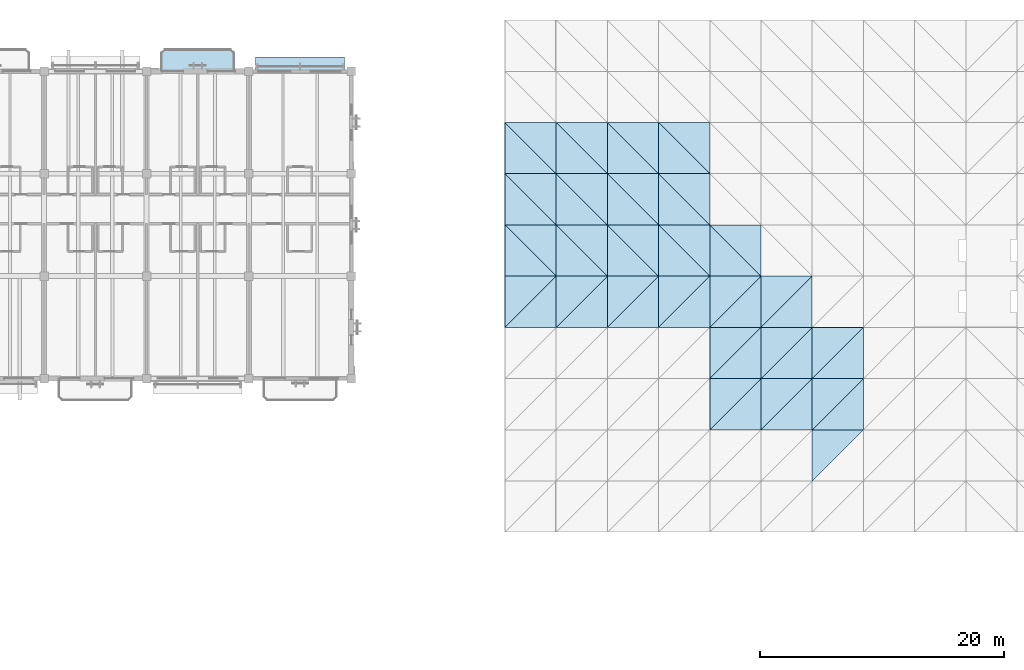
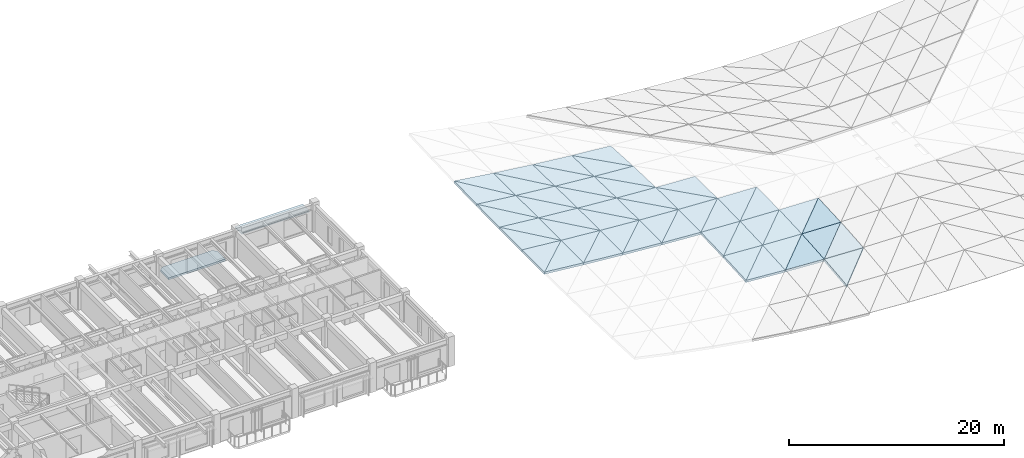
# One storey, part 19 of 64: 52 slabs, 1 plate, 1 element without a shape of its own.
"""IFC4 building model written with IfcOpenShell, lengths in metres."""

import ifcopenshell
import ifcopenshell.guid

model = None  # the IFC model being written
_history = None  # IfcOwnerHistory: only IFC2X3 demands one
_inside = {}  # id of a spatial element -> (the spatial element, [elements in it])
_under = {}  # id of a project, library or spatial element -> (it, [spatial elements below it])
_declared = {}  # id of a project -> (the project, [libraries it declares])
_typed = {}  # id of a type object -> (the type object, [elements of that type])
_made_of = {}  # id of a material, layer set ... -> (it, [elements and type objects made of it])


def new_model(schema):
    """Start an empty IFC model of exactly this schema.

    Asked for "IFC4X3", IfcOpenShell would pick the latest addendum, in which some entities
    have other attributes; the version numbers below select the first issue.
    IFC2X3 requires an IfcOwnerHistory on every rooted entity: one is made here for all.
    """
    global model, _history
    if schema == "IFC4X3":
        model = ifcopenshell.file(schema_version=(4, 3, 0, 0))
    else:
        model = ifcopenshell.file(schema=schema)
    _inside.clear()
    _under.clear()
    _declared.clear()
    _typed.clear()
    _made_of.clear()
    _history = None
    if model.schema == "IFC2X3":
        org = make("IfcOrganization", Name="unknown")
        user = make(
            "IfcPersonAndOrganization",
            ThePerson=make("IfcPerson", FamilyName="unknown"),
            TheOrganization=org,
        )
        app = make(
            "IfcApplication",
            ApplicationDeveloper=org,
            Version="unknown",
            ApplicationFullName="unknown",
            ApplicationIdentifier="unknown",
        )
        _history = make(
            "IfcOwnerHistory",
            OwningUser=user,
            OwningApplication=app,
            ChangeAction="ADDED",
            CreationDate=0,
        )
    return model


def make(cls, **values):
    """One entity of the class cls with the attributes given. An attribute that is None is left unset."""
    return model.create_entity(
        cls, **{name: value for name, value in values.items() if value is not None}
    )


def rooted(cls, **values):
    """An entity with a GlobalId (a new one), such as an element, a storey or a relation."""
    return make(cls, GlobalId=ifcopenshell.guid.new(), OwnerHistory=_history, **values)


def si_unit(unit_type, name, prefix=None):
    """IfcSIUnit, for example si_unit("LENGTHUNIT", "METRE", prefix="MILLI")."""
    return make("IfcSIUnit", UnitType=unit_type, Prefix=prefix, Name=name)


def assignment(units):
    """IfcUnitAssignment: the units of a project."""
    return None if units is None else make("IfcUnitAssignment", Units=units)


def point(xyz):
    """IfcCartesianPoint."""
    return None if xyz is None else make("IfcCartesianPoint", Coordinates=xyz)


def direction(xyz):
    """IfcDirection."""
    return None if xyz is None else make("IfcDirection", DirectionRatios=xyz)


def frame(location, z_axis=None, x_axis=None):
    """IfcAxis2Placement3D, a coordinate frame: its origin and axes. An axis left out is left unset."""
    return make(
        "IfcAxis2Placement3D",
        Location=point(location),
        Axis=direction(z_axis),
        RefDirection=direction(x_axis),
    )


def frame_2d(location, x_axis=None):
    """IfcAxis2Placement2D, a coordinate frame in the plane: its origin and x axis."""
    return make(
        "IfcAxis2Placement2D", Location=point(location), RefDirection=direction(x_axis)
    )


def origin():
    """The frame at (0, 0, 0) with its axes left unset."""
    return frame((0.0, 0.0, 0.0))


def origin_2d():
    """The frame at (0, 0) in the plane with its x axis left unset."""
    return frame_2d((0.0, 0.0))


def place(relative_to, where):
    """IfcLocalPlacement: puts the frame where relative to a parent placement (None: the world)."""
    return make(
        "IfcLocalPlacement", PlacementRelTo=relative_to, RelativePlacement=where
    )


def context(
    kind, dimensions, precision=None, world=None, true_north=None, identifier=None
):
    """IfcGeometricRepresentationContext, for example the 3D "Model" context."""
    return make(
        "IfcGeometricRepresentationContext",
        ContextIdentifier=identifier,
        ContextType=kind,
        CoordinateSpaceDimension=dimensions,
        Precision=precision,
        WorldCoordinateSystem=world,
        TrueNorth=true_north,
    )


def subcontext(parent, identifier, kind, view, scale=None):
    """IfcGeometricRepresentationSubContext, for example "Body" below "Model"."""
    return make(
        "IfcGeometricRepresentationSubContext",
        ContextIdentifier=identifier,
        ContextType=kind,
        ParentContext=parent,
        TargetScale=scale,
        TargetView=view,
    )


def project(units=None, contexts=None):
    """IfcProject with its units and contexts."""
    return rooted(
        "IfcProject",
        Name="project",
        RepresentationContexts=contexts,
        UnitsInContext=assignment(units),
    )


def spatial(cls, under=None, at=None, **own):
    """A site, building, storey or space (cls), placed at a placement, below another one or the project."""
    s = rooted(cls, ObjectPlacement=at, **own)
    if under is not None:
        _under.setdefault(under.id(), (under, []))[1].append(s)
    return s


def polyline(points):
    """IfcPolyline through the points."""
    return make("IfcPolyline", Points=[point(p) for p in points])


def profile(cls, at=None, kind="AREA", **sizes):
    """A parametric profile (cls). Its sizes go by their IFC names, for example OverallWidth=200.0."""
    return make(cls, ProfileType=kind, Position=at, **sizes)


def rectangle(**sizes):
    """IfcRectangleProfileDef."""
    return profile("IfcRectangleProfileDef", **sizes)


def outline(outer, holes=None, kind="AREA"):
    """IfcArbitraryClosedProfileDef: a profile drawn as a closed curve; with holes, ...WithVoids."""
    if holes is None:
        return make("IfcArbitraryClosedProfileDef", ProfileType=kind, OuterCurve=outer)
    return make(
        "IfcArbitraryProfileDefWithVoids",
        ProfileType=kind,
        OuterCurve=outer,
        InnerCurves=holes,
    )


def extrude(swept, where, along, depth):
    """IfcExtrudedAreaSolid: the profile swept, set in the frame where, extruded along a direction by depth."""
    return make(
        "IfcExtrudedAreaSolid",
        SweptArea=swept,
        Position=where,
        ExtrudedDirection=direction(along),
        Depth=depth,
    )


def shape(context_of_items, identifier, shape_type, items):
    """IfcShapeRepresentation: the items that make up one representation, for example the "Body"."""
    return make(
        "IfcShapeRepresentation",
        ContextOfItems=context_of_items,
        RepresentationIdentifier=identifier,
        RepresentationType=shape_type,
        Items=items,
    )


def material(Name=None, Category=None):
    """IfcMaterial."""
    return make("IfcMaterial", Name=Name, Category=Category)


def layer(
    of_material, thickness, ventilated=None, Name=None, Category=None, Priority=None
):
    """IfcMaterialLayer: one layer of a wall or slab, of a material (None: an air gap)."""
    return make(
        "IfcMaterialLayer",
        Material=of_material,
        LayerThickness=thickness,
        IsVentilated=ventilated,
        Name=Name,
        Category=Category,
        Priority=Priority,
    )


def layer_set(layers, Name=None):
    """IfcMaterialLayerSet."""
    return make("IfcMaterialLayerSet", MaterialLayers=layers, LayerSetName=Name)


def made_of(thing, what):
    """Note that an element or type object is made of a material, layer set ...; save() writes the relation."""
    if what is not None:
        _made_of.setdefault(what.id(), (what, []))[1].append(thing)
    return thing


def type_object(cls, material=None, **own):
    """A type object (cls), such as IfcWallType, which elements share."""
    return made_of(rooted(cls, **own), material)


def element(
    cls,
    number,
    at=None,
    inside=None,
    cuts=None,
    type_object=None,
    material=None,
    context=None,
    identifier="Body",
    shape_type=None,
    held_by="IfcProductDefinitionShape",
    body=None,
    shapes=None,
    **own,
):
    """One element of the class cls, such as IfcWall. Its Tag is "e" and its number.

    at: its placement. inside: the storey or other place that contains it. cuts: it is an
    opening in that element (IfcRelVoidsElement). A single representation is given by context,
    identifier, shape_type and body (its items); several are given by shapes. held_by: the class
    of the entity that holds the representations. save() writes the other relations.
    """
    e = rooted(cls, Tag="e%d" % number, ObjectPlacement=at, **own)
    if body is not None:
        shapes = [shape(context, identifier, shape_type, body)]
    if shapes is not None:
        e.Representation = make(held_by, Representations=shapes)
    if inside is not None:
        _inside.setdefault(inside.id(), (inside, []))[1].append(e)
    if cuts is not None:
        rooted(
            "IfcRelVoidsElement", RelatingBuildingElement=cuts, RelatedOpeningElement=e
        )
    if type_object is not None:
        _typed.setdefault(type_object.id(), (type_object, []))[1].append(e)
    return made_of(e, material)


def aggregate(whole, parts):
    """IfcRelAggregates: a whole, such as a stair, and the parts it consists of."""
    return rooted("IfcRelAggregates", RelatingObject=whole, RelatedObjects=parts)


def save(model, path):
    """Write the relations noted so far, then the file.

    IfcRelAggregates (storeys below a building ...), IfcRelContainedInSpatialStructure (elements
    in a storey), IfcRelDefinesByType, IfcRelAssociatesMaterial and IfcRelDeclares: one each for
    every whole, place, type object, material and project.
    """
    for whole, parts in _under.values():
        aggregate(whole, parts)
    for where, things in _inside.values():
        rooted(
            "IfcRelContainedInSpatialStructure",
            RelatedElements=things,
            RelatingStructure=where,
        )
    for kind, things in _typed.values():
        rooted("IfcRelDefinesByType", RelatedObjects=things, RelatingType=kind)
    for what, things in _made_of.values():
        rooted("IfcRelAssociatesMaterial", RelatedObjects=things, RelatingMaterial=what)
    for by, libraries in _declared.values():
        rooted("IfcRelDeclares", RelatingContext=by, RelatedDefinitions=libraries)
    model.write(path)


model = new_model("IFC4")

# Units and contexts
model_context = context("Model", 3, precision=1e-05, world=origin(), true_north=direction((0.0, 1.0)))
body_context = subcontext(model_context, "Body", "Model", "MODEL_VIEW")
ifc_project = project(units=[si_unit("LENGTHUNIT", "METRE"), si_unit("AREAUNIT", "SQUARE_METRE"), si_unit("VOLUMEUNIT", "CUBIC_METRE"), si_unit("PLANEANGLEUNIT", "RADIAN"), si_unit("MASSUNIT", "GRAM", prefix="KILO")], contexts=[model_context])

# Site, building, storey
site_placement = place(None, origin())
site = spatial("IfcSite", under=ifc_project, at=site_placement, CompositionType="ELEMENT")
building_placement = place(site_placement, origin())
building = spatial("IfcBuilding", under=site, at=building_placement, Name="Cumbredor Promenade Congress Hotel", CompositionType="ELEMENT")
storey_placement = place(building_placement, frame((0.0, 0.0, 18.47998046875)))
storey = spatial("IfcBuildingStorey", under=building, at=storey_placement, Name="L05", CompositionType="ELEMENT", Elevation=18.47998046875)

# Slabs
ifc_material_1 = material(Name="Concrete C40/50", Category="concrete")
ifc_layer_1 = layer(ifc_material_1, 0.215087890625, Name="Concrete C40/50", Category="concrete")
ifc_layer_set_1 = layer_set([ifc_layer_1], Name="Concrete C40/50")
slab_type_1 = type_object("IfcSlabType", Name="Cantilevered Guestroom Balcony Slab 215mm", PredefinedType="FLOOR", material=ifc_layer_set_1)
slab_1_placement = place(storey_placement, frame((0.0, 0.0, -0.215087890625)))
element("IfcSlab", 1, at=slab_1_placement, inside=storey, type_object=slab_type_1, Name="L05 Cantilevered Guestroom Veranda Balcony 028", PredefinedType="FLOOR", context=body_context, shape_type="SweptSolid", body=[
    extrude(outline(polyline([(68.35009765625, 117.60009765625), (74.449951171875, 117.60009765625), (74.449951171875, 119.10009765625), (74.10009765625, 119.449951171875), (68.699951171875, 119.449951171875), (68.35009765625, 119.10009765625), (68.35009765625, 117.60009765625)])), origin(), (0.0, 0.0, 1.0), 0.215087890625),
])
ifc_layer_2 = layer(ifc_material_1, 0.25, Name="Concrete C40/50", Category="concrete")
ifc_layer_set_2 = layer_set([ifc_layer_2], Name="Concrete C40/50")
slab_type_2 = type_object("IfcSlabType", Name="Catenary Space Frame Roof Deck 250mm", PredefinedType="ROOF", material=ifc_layer_set_2)
slab_2_placement = place(storey_placement, frame((96.60009765625, 96.60009765625, 3.514892578125), z_axis=(0.09799722413, 5.7849601e-05, 0.995186686364), x_axis=(0.995186688029, 0.0, -0.097997224294)))
element("IfcSlab", 2, at=slab_2_placement, inside=storey, type_object=slab_type_2, Name="Pre-Function and Breakout Meeting Forum Sweeping Roof Deck Facet 3.5.1", PredefinedType="ROOF", context=body_context, shape_type="SweptSolid", body=[
    extrude(outline(polyline([(0.0, 0.0), (4.2202646221, 0.0), (4.220288547203587, 4.1999511789027295), (0.0, 0.0)])), origin(), (0.0, 0.0, -1.0), 0.25),
])
slab_3_placement = place(storey_placement, frame((96.60009765625, 96.60009765625, 3.514892578125), z_axis=(0.093237412623, 0.004861541068, 0.995632035596), x_axis=(0.705396850563, 0.705396850563, -0.069502276446)))
element("IfcSlab", 3, at=slab_3_placement, inside=storey, type_object=slab_type_2, Name="Pre-Function and Breakout Meeting Forum Sweeping Roof Deck Facet 3.5.2", PredefinedType="ROOF", context=body_context, shape_type="SweptSolid", body=[
    extrude(outline(polyline([(0.0, 0.0), (5.954025976330989, 1.0408340855860843e-16), (2.964057668813273, 2.975629774091015), (0.0, 0.0)])), origin(), (0.0, 0.0, -1.0), 0.25),
])
slab_4_placement = place(storey_placement, frame((96.60009765625, 100.800048828125, 3.494384765625), z_axis=(0.093237412623, -0.004861541068, 0.995632035596), x_axis=(0.995643801478, 0.0, -0.093238514456)))
element("IfcSlab", 4, at=slab_4_placement, inside=storey, type_object=slab_type_2, Name="Pre-Function and Breakout Meeting Forum Sweeping Roof Deck Facet 3.6.1", PredefinedType="ROOF", context=body_context, shape_type="SweptSolid", body=[
    extrude(outline(polyline([(0.0, 0.0), (4.21832704189911, -2.168404344971009e-19), (-0.0019121179722361304, 4.20000080479904), (0.0, 0.0)])), origin(), (0.0, 0.0, -1.0), 0.25),
])
slab_5_placement = place(storey_placement, frame((100.800048828125, 100.800048828125, 3.10107421875), z_axis=(0.09799722413, -5.7849601e-05, 0.995186686364), x_axis=(0.0, 0.99999999831, 5.8129396e-05)))
element("IfcSlab", 5, at=slab_5_placement, inside=storey, type_object=slab_type_2, Name="Pre-Function and Breakout Meeting Forum Sweeping Roof Deck Facet 3.6.2", PredefinedType="ROOF", context=body_context, shape_type="SweptSolid", body=[
    extrude(outline(polyline([(0.0, 0.0), (4.199951178970874, 0.0), (4.199975219790385, 4.220264622031526), (0.0, 0.0)])), origin(), (0.0, 0.0, -1.0), 0.25),
])
slab_6_placement = place(storey_placement, frame((96.60009765625, 105.0, 3.514892578125), z_axis=(0.097986977301, -0.014460888031, 0.995082627221), x_axis=(0.995186688029, 0.0, -0.097997224294)))
element("IfcSlab", 6, at=slab_6_placement, inside=storey, type_object=slab_type_2, Name="Pre-Function and Breakout Meeting Forum Sweeping Roof Deck Facet 3.7.1", PredefinedType="ROOF", context=body_context, shape_type="SweptSolid", body=[
    extrude(outline(polyline([(0.0, 0.0), (4.2202646221, 0.0), (-0.00598127589682214, 4.200390381949194), (0.0, 0.0)])), origin(), (0.0, 0.0, -1.0), 0.25),
])
slab_7_placement = place(storey_placement, frame((100.800048828125, 105.0, 3.101318359375), z_axis=(0.112174797087, -0.000115525023, 0.993688483154), x_axis=(0.0, 0.999999993242, 0.000116258791)))
element("IfcSlab", 7, at=slab_7_placement, inside=storey, type_object=slab_type_2, Name="Pre-Function and Breakout Meeting Forum Sweeping Roof Deck Facet 3.7.2", PredefinedType="ROOF", context=body_context, shape_type="SweptSolid", body=[
    extrude(outline(polyline([(0.0, 0.0), (4.199951200258494, -6.776263578034403e-21), (4.200006321003777, 4.226627574631409), (0.0, 0.0)])), origin(), (0.0, 0.0, -1.0), 0.25),
])
slab_8_placement = place(storey_placement, frame((96.60009765625, 109.199951171875, 3.575927734375), z_axis=(0.112142114967, -0.024137695189, 0.993398972076), x_axis=(0.993688489785, 0.0, -0.112174797835)))
element("IfcSlab", 8, at=slab_8_placement, inside=storey, type_object=slab_type_2, Name="Pre-Function and Breakout Meeting Forum Sweeping Roof Deck Facet 3.8.1", PredefinedType="ROOF", context=body_context, shape_type="SweptSolid", body=[
    extrude(outline(polyline([(0.0, 0.0), (4.226627574990832, 1.734723475976807e-18), (-0.011447525755660397, 4.201175212037935), (0.0, 0.0)])), origin(), (0.0, 0.0, -1.0), 0.25),
])
slab_9_placement = place(storey_placement, frame((100.800048828125, 109.199951171875, 3.101806640625), z_axis=(0.135742825348, -0.000172774067, 0.99074409184), x_axis=(0.0, 0.999999984794, 0.000174388185)))
element("IfcSlab", 9, at=slab_9_placement, inside=storey, type_object=slab_type_2, Name="Pre-Function and Breakout Meeting Forum Sweeping Roof Deck Facet 3.8.2", PredefinedType="ROOF", context=body_context, shape_type="SweptSolid", body=[
    extrude(outline(polyline([(0.0, 0.0), (4.199951235737862, 1.3552527156068805e-20), (4.200051585579931, 4.239188648819122), (0.0, 0.0)])), origin(), (0.0, 0.0, -1.0), 0.25),
])
slab_10_placement = place(storey_placement, frame((100.800048828125, 96.60009765625, 3.101318359375), z_axis=(0.086576385093, -0.004169565035, 0.996236490133), x_axis=(0.996245150167, 0.0, -0.086577137679)))
element("IfcSlab", 10, at=slab_10_placement, inside=storey, type_object=slab_type_2, Name="Pre-Function and Breakout Meeting Forum Sweeping Roof Deck Facet 4.5.1", PredefinedType="ROOF", context=body_context, shape_type="SweptSolid", body=[
    extrude(outline(polyline([(0.0, 0.0), (4.215780795691743, 0.0), (4.214258931943472, 4.19998768099901), (0.0, 0.0)])), origin(), (0.0, 0.0, -1.0), 0.25),
])
slab_11_placement = place(storey_placement, frame((100.800048828125, 96.60009765625, 3.101318359375), z_axis=(0.082379045472, 5.7931818e-05, 0.996601068387), x_axis=(0.705900318658, 0.705900318658, -0.05839075472)))
element("IfcSlab", 11, at=slab_11_placement, inside=storey, type_object=slab_type_2, Name="Pre-Function and Breakout Meeting Forum Sweeping Roof Deck Facet 4.5.2", PredefinedType="ROOF", context=body_context, shape_type="SweptSolid", body=[
    extrude(outline(polyline([(0.0, 0.0), (5.949779396415364, 2.3592239273284576e-16), (2.9647611261303735, 2.974858210188344), (0.0, 0.0)])), origin(), (0.0, 0.0, -1.0), 0.25),
])
slab_12_placement = place(storey_placement, frame((100.800048828125, 100.800048828125, 3.10107421875), z_axis=(0.082379045472, -5.7931818e-05, 0.996601068387), x_axis=(0.99660107006, 0.0, -0.08237904561)))
element("IfcSlab", 12, at=slab_12_placement, inside=storey, type_object=slab_type_2, Name="Pre-Function and Breakout Meeting Forum Sweeping Roof Deck Facet 4.6.1", PredefinedType="ROOF", context=body_context, shape_type="SweptSolid", body=[
    extrude(outline(polyline([(0.0, 0.0), (4.214275198021623, 3.3881317890172014e-21), (-2.01120716820759e-05, 4.19995117892272), (0.0, 0.0)])), origin(), (0.0, 0.0, -1.0), 0.25),
])
slab_13_placement = place(storey_placement, frame((105.0, 100.800048828125, 2.75390625), z_axis=(0.086576385093, 0.004169565035, 0.996236490133), x_axis=(0.0, 0.999991241678, -0.004185279858)))
element("IfcSlab", 13, at=slab_13_placement, inside=storey, type_object=slab_type_2, Name="Pre-Function and Breakout Meeting Forum Sweeping Roof Deck Facet 4.6.2", PredefinedType="ROOF", context=body_context, shape_type="SweptSolid", body=[
    extrude(outline(polyline([(0.0, 0.0), (4.199987956722341, 0.0), (4.198460370445967, 4.215780518931634), (0.0, 0.0)])), origin(), (0.0, 0.0, -1.0), 0.25),
])
slab_14_placement = place(storey_placement, frame((100.800048828125, 105.0, 3.101318359375), z_axis=(0.086577137099, -0.000115822257, 0.996245143485), x_axis=(0.996245150167, 0.0, -0.086577137679)))
element("IfcSlab", 14, at=slab_14_placement, inside=storey, type_object=slab_type_2, Name="Pre-Function and Breakout Meeting Forum Sweeping Roof Deck Facet 4.7.1", PredefinedType="ROOF", context=body_context, shape_type="SweptSolid", body=[
    extrude(outline(polyline([(0.0, 0.0), (4.215780795691743, 6.776263578034403e-21), (-4.227399300754566e-05, 4.199951200045743), (0.0, 0.0)])), origin(), (0.0, 0.0, -1.0), 0.25),
])
slab_15_placement = place(storey_placement, frame((105.0, 105.0, 2.736328125), z_axis=(0.099192297833, 0.012608700249, 0.994988396278), x_axis=(0.0, 0.999919717237, -0.012671190976)))
element("IfcSlab", 15, at=slab_15_placement, inside=storey, type_object=slab_type_2, Name="Pre-Function and Breakout Meeting Forum Sweeping Roof Deck Facet 4.7.2", PredefinedType="ROOF", context=body_context, shape_type="SweptSolid", body=[
    extrude(outline(polyline([(0.0, 0.0), (4.200288382631899, 0.0), (4.194982940121256, 4.220766798787094), (0.0, 0.0)])), origin(), (0.0, 0.0, -1.0), 0.25),
])
slab_16_placement = place(storey_placement, frame((100.800048828125, 109.199951171875, 3.101806640625), z_axis=(0.099200182042, -0.000173528015, 0.995067482019), x_axis=(0.995067497, 0.0, -0.099200183535)))
element("IfcSlab", 16, at=slab_16_placement, inside=storey, type_object=slab_type_2, Name="Pre-Function and Breakout Meeting Forum Sweeping Roof Deck Facet 4.8.1", PredefinedType="ROOF", context=body_context, shape_type="SweptSolid", body=[
    extrude(outline(polyline([(0.0, 0.0), (4.220770133217833, 0.0), (-7.265638442517803e-05, 4.199951235109408), (0.0, 0.0)])), origin(), (0.0, 0.0, -1.0), 0.25),
])
slab_17_placement = place(storey_placement, frame((105.0, 109.199951171875, 2.68310546875), z_axis=(0.120008746289, 0.020886137575, 0.992553106927), x_axis=(0.0, 0.999778672914, -0.021038184014)))
element("IfcSlab", 17, at=slab_17_placement, inside=storey, type_object=slab_type_2, Name="Pre-Function and Breakout Meeting Forum Sweeping Roof Deck Facet 4.8.2", PredefinedType="ROOF", context=body_context, shape_type="SweptSolid", body=[
    extrude(outline(polyline([(0.0, 0.0), (4.200880940612829, 1.734723475976807e-18), (4.190197487793162, 4.230525882810113), (0.0, 0.0)])), origin(), (0.0, 0.0, -1.0), 0.25),
])
slab_18_placement = place(storey_placement, frame((105.0, 96.60009765625, 2.736328125), z_axis=(0.07512048615, -0.007883013979, 0.997143304972), x_axis=(0.997174288611, 0.0, -0.075122820324)))
element("IfcSlab", 18, at=slab_18_placement, inside=storey, type_object=slab_type_2, Name="Pre-Function and Breakout Meeting Forum Sweeping Roof Deck Facet 5.5.1", PredefinedType="ROOF", context=body_context, shape_type="SweptSolid", body=[
    extrude(outline(polyline([(0.0, 0.0), (4.2118526518829285, 4.336808689942018e-19), (4.209358339489347, 4.200081674449872), (0.0, 0.0)])), origin(), (0.0, 0.0, -1.0), 0.25),
])
slab_19_placement = place(storey_placement, frame((105.0, 96.60009765625, 2.736328125), z_axis=(0.071431847476, -0.004174588489, 0.997436746855), x_axis=(0.706304377557, 0.706304377557, -0.047626174386)))
element("IfcSlab", 19, at=slab_19_placement, inside=storey, type_object=slab_type_2, Name="Pre-Function and Breakout Meeting Forum Sweeping Roof Deck Facet 5.5.2", PredefinedType="ROOF", context=body_context, shape_type="SweptSolid", body=[
    extrude(outline(polyline([(0.0, 0.0), (5.94637567786279, -3.122502256758253e-16), (2.965606719375772, 2.9740671852878466), (0.0, 0.0)])), origin(), (0.0, 0.0, -1.0), 0.25),
])
slab_20_placement = place(storey_placement, frame((105.0, 100.800048828125, 2.75390625), z_axis=(0.071431847476, 0.004174588489, 0.997436746855), x_axis=(0.997445438228, 0.0, -0.071432469912)))
element("IfcSlab", 20, at=slab_20_placement, inside=storey, type_object=slab_type_2, Name="Pre-Function and Breakout Meeting Forum Sweeping Roof Deck Facet 5.6.1", PredefinedType="ROOF", context=body_context, shape_type="SweptSolid", body=[
    extrude(outline(polyline([(0.0, 0.0), (4.210707684758674, 0.0), (0.001255648885172914, 4.1999877690248795), (0.0, 0.0)])), origin(), (0.0, 0.0, -1.0), 0.25),
])
slab_21_placement = place(storey_placement, frame((109.199951171875, 100.800048828125, 2.453125), z_axis=(0.07512048615, 0.007883013979, 0.997143304972), x_axis=(0.0, 0.999968752226, -0.007905350829)))
element("IfcSlab", 21, at=slab_21_placement, inside=storey, type_object=slab_type_2, Name="Pre-Function and Breakout Meeting Forum Sweeping Roof Deck Facet 5.6.2", PredefinedType="ROOF", context=body_context, shape_type="SweptSolid", body=[
    extrude(outline(polyline([(0.0, 0.0), (4.200082415101393, 4.336808689942018e-19), (4.197581112690813, 4.211851909155817), (0.0, 0.0)])), origin(), (0.0, 0.0, -1.0), 0.25),
])
slab_22_placement = place(storey_placement, frame((105.0, 105.0, 2.736328125), z_axis=(0.075116823289, 0.012635391572, 0.99709468444), x_axis=(0.997174288611, 0.0, -0.075122820324)))
element("IfcSlab", 22, at=slab_22_placement, inside=storey, type_object=slab_type_2, Name="Pre-Function and Breakout Meeting Forum Sweeping Roof Deck Facet 5.7.1", PredefinedType="ROOF", context=body_context, shape_type="SweptSolid", body=[
    extrude(outline(polyline([(0.0, 0.0), (4.2118526518829285, -8.673617379884035e-19), (0.003998236042652911, 4.200286479679813), (0.0, 0.0)])), origin(), (0.0, 0.0, -1.0), 0.25),
])
slab_23_placement = place(storey_placement, frame((109.199951171875, 105.0, 2.419921875), z_axis=(0.086035794865, 0.023622210165, 0.99601196438), x_axis=(0.0, 0.999718875442, -0.023710126209)))
element("IfcSlab", 23, at=slab_23_placement, inside=storey, type_object=slab_type_2, Name="Pre-Function and Breakout Meeting Forum Sweeping Roof Deck Facet 5.7.2", PredefinedType="ROOF", context=body_context, shape_type="SweptSolid", body=[
    extrude(outline(polyline([(0.0, 0.0), (4.201132213311321, 0.0), (4.192530346234374, 4.2155823550479266), (0.0, 0.0)])), origin(), (0.0, 0.0, -1.0), 0.25),
])
slab_24_placement = place(storey_placement, frame((105.0, 109.199951171875, 2.68310546875), z_axis=(0.086040902939, 0.020960166126, 0.996071099098), x_axis=(0.996289972461, 0.0, -0.086059809282)))
element("IfcSlab", 24, at=slab_24_placement, inside=storey, type_object=slab_type_2, Name="Pre-Function and Breakout Meeting Forum Sweeping Roof Deck Facet 5.8.1", PredefinedType="ROOF", context=body_context, shape_type="SweptSolid", body=[
    extrude(outline(polyline([(0.0, 0.0), (4.215591131064376, -2.6020852139652106e-18), (0.007605871816420661, 4.200874055231607), (0.0, 0.0)])), origin(), (0.0, 0.0, -1.0), 0.25),
])
slab_25_placement = place(storey_placement, frame((109.199951171875, 109.199951171875, 2.3203125), z_axis=(0.104156150302, 0.039224640075, 0.993787162307), x_axis=(0.0, 0.999221974009, -0.039439151331)))
element("IfcSlab", 25, at=slab_25_placement, inside=storey, type_object=slab_type_2, Name="Pre-Function and Breakout Meeting Forum Sweeping Roof Deck Facet 5.8.2", PredefinedType="ROOF", context=body_context, shape_type="SweptSolid", body=[
    extrude(outline(polyline([(0.0, 0.0), (4.203221387360661, 0.0), (4.185860842963614, 4.222919816111841), (0.0, 0.0)])), origin(), (0.0, 0.0, -1.0), 0.25),
])
slab_26_placement = place(storey_placement, frame((109.199951171875, 96.60009765625, 2.419921875), z_axis=(0.06357709182, -0.010963567841, 0.997916706733), x_axis=(0.997976686844, 0.0, -0.063580913142)))
element("IfcSlab", 26, at=slab_26_placement, inside=storey, type_object=slab_type_2, Name="Pre-Function and Breakout Meeting Forum Sweeping Roof Deck Facet 6.5.1", PredefinedType="ROOF", context=body_context, shape_type="SweptSolid", body=[
    extrude(outline(polyline([(0.0, 0.0), (4.208466216938507, 0.0), (4.2055324296865955, 4.200203611319643), (0.0, 0.0)])), origin(), (0.0, 0.0, -1.0), 0.25),
])
slab_27_placement = place(storey_placement, frame((109.199951171875, 96.60009765625, 2.419921875), z_axis=(0.060515950101, -0.007890862142, 0.998136039865), x_axis=(0.706615897293, 0.706615897293, -0.037255165892)))
element("IfcSlab", 27, at=slab_27_placement, inside=storey, type_object=slab_type_2, Name="Pre-Function and Breakout Meeting Forum Sweeping Roof Deck Facet 6.5.2", PredefinedType="ROOF", context=body_context, shape_type="SweptSolid", body=[
    extrude(outline(polyline([(0.0, 0.0), (5.943754149835624, -2.706168622523819e-16), (2.9665152779711583, 2.973294368071828), (0.0, 0.0)])), origin(), (0.0, 0.0, -1.0), 0.25),
])
slab_28_placement = place(storey_placement, frame((109.199951171875, 100.800048828125, 2.453125), z_axis=(0.060515950101, 0.007890862142, 0.998136039865), x_axis=(0.998167116139, 0.0, -0.060517834223)))
element("IfcSlab", 28, at=slab_28_placement, inside=storey, type_object=slab_type_2, Name="Pre-Function and Breakout Meeting Forum Sweeping Roof Deck Facet 6.6.1", PredefinedType="ROOF", context=body_context, shape_type="SweptSolid", body=[
    extrude(outline(polyline([(0.0, 0.0), (4.207663330085768, 4.336808689942018e-19), (0.0020093812144250786, 4.200081934442599), (0.0, 0.0)])), origin(), (0.0, 0.0, -1.0), 0.25),
])
slab_29_placement = place(storey_placement, frame((113.39990234375, 100.800048828125, 2.198486328125), z_axis=(0.06357709182, 0.010963567841, 0.997916706733), x_axis=(0.0, 0.999939654357, -0.010985792866)))
element("IfcSlab", 29, at=slab_29_placement, inside=storey, type_object=slab_type_2, Name="Pre-Function and Breakout Meeting Forum Sweeping Roof Deck Facet 6.6.2", PredefinedType="ROOF", context=body_context, shape_type="SweptSolid", body=[
    extrude(outline(polyline([(0.0, 0.0), (4.200204635925518, 0.0), (4.197265078068801, 4.208465190317287), (0.0, 0.0)])), origin(), (0.0, 0.0, -1.0), 0.25),
])
slab_30_placement = place(storey_placement, frame((109.199951171875, 105.0, 2.419921875), z_axis=(0.063563111212, 0.023662180086, 0.997697264769), x_axis=(0.997976686844, 0.0, -0.063580913142)))
element("IfcSlab", 30, at=slab_30_placement, inside=storey, type_object=slab_type_2, Name="Pre-Function and Breakout Meeting Forum Sweeping Roof Deck Facet 6.7.1", PredefinedType="ROOF", context=body_context, shape_type="SweptSolid", body=[
    extrude(outline(polyline([(0.0, 0.0), (4.208466216938507, 0.0), (0.006333255019998972, 4.2011274395813), (0.0, 0.0)])), origin(), (0.0, 0.0, -1.0), 0.25),
])
slab_31_placement = place(storey_placement, frame((113.39990234375, 105.0, 2.15234375), z_axis=(0.072834752498, 0.032969748744, 0.996798923804), x_axis=(0.0, 0.999453449873, -0.033057548856)))
element("IfcSlab", 31, at=slab_31_placement, inside=storey, type_object=slab_type_2, Name="Pre-Function and Breakout Meeting Forum Sweeping Roof Deck Facet 6.7.2", PredefinedType="ROOF", context=body_context, shape_type="SweptSolid", body=[
    extrude(outline(polyline([(0.0, 0.0), (4.202247911003266, -1.734723475976807e-18), (4.19210305287031, 4.211135854773668), (0.0, 0.0)])), origin(), (0.0, 0.0, -1.0), 0.25),
])
slab_32_placement = place(storey_placement, frame((109.199951171875, 109.199951171875, 2.3203125), z_axis=(0.072817973247, 0.039334450147, 0.996569287006), x_axis=(0.997341128252, 0.0, -0.072874370645)))
element("IfcSlab", 32, at=slab_32_placement, inside=storey, type_object=slab_type_2, Name="Pre-Function and Breakout Meeting Forum Sweeping Roof Deck Facet 6.8.1", PredefinedType="ROOF", context=body_context, shape_type="SweptSolid", body=[
    extrude(outline(polyline([(0.0, 0.0), (4.211148074516841, 1.734723475976807e-18), (0.012080492594781774, 4.2032040270328), (0.0, 0.0)])), origin(), (0.0, 0.0, -1.0), 0.25),
])
slab_33_placement = place(storey_placement, frame((113.39990234375, 109.199951171875, 2.013427734375), z_axis=(0.088168608244, 0.054751260333, 0.994599716475), x_axis=(0.0, 0.99848826417, -0.054965319198)))
element("IfcSlab", 33, at=slab_33_placement, inside=storey, type_object=slab_type_2, Name="Pre-Function and Breakout Meeting Forum Sweeping Roof Deck Facet 6.8.2", PredefinedType="ROOF", context=body_context, shape_type="SweptSolid", body=[
    extrude(outline(polyline([(0.0, 0.0), (4.2063100014157975, -3.469446951953614e-18), (4.185845618657625, 4.216371557059254), (0.0, 0.0)])), origin(), (0.0, 0.0, -1.0), 0.25),
])
slab_34_placement = place(storey_placement, frame((113.39990234375, 88.199951171875, 1.7822265625), z_axis=(0.072186117772, -0.06750488488, 0.99510414275), x_axis=(0.997379220956, 0.0, -0.072351154833)))
element("IfcSlab", 34, at=slab_34_placement, inside=storey, type_object=slab_type_2, Name="Pre-Function and Breakout Meeting Forum Sweeping Roof Deck Facet 7.3.1", PredefinedType="ROOF", context=body_context, shape_type="SweptSolid", body=[
    extrude(outline(polyline([(0.0, 0.0), (4.211232021131491, 0.0), (4.190618300992207, 4.209553400391154), (0.0, 0.0)])), origin(), (0.0, 0.0, -1.0), 0.25),
])
slab_35_placement = place(storey_placement, frame((113.39990234375, 88.199951171875, 1.7822265625), z_axis=(0.059557305235, -0.054867749611, 0.996715835856), x_axis=(0.707123413179, 0.707082310912, -0.003329283682)))
element("IfcSlab", 35, at=slab_35_placement, inside=storey, type_object=slab_type_2, Name="Pre-Function and Breakout Meeting Forum Sweeping Roof Deck Facet 7.3.2", PredefinedType="ROOF", context=body_context, shape_type="SweptSolid", body=[
    extrude(outline(polyline([(0.0, 0.0), (5.939833463604475, 5.377642775528102e-16), (2.968941446036086, 2.9796695316795985), (0.0, 0.0)])), origin(), (0.0, 0.0, -1.0), 0.25),
])
slab_36_placement = place(storey_placement, frame((113.39990234375, 92.39990234375, 2.013427734375), z_axis=(0.059598018496, -0.040582308314, 0.997397188909), x_axis=(0.998219523348, 0.0, -0.059647155894)))
element("IfcSlab", 36, at=slab_36_placement, inside=storey, type_object=slab_type_2, Name="Pre-Function and Breakout Meeting Forum Sweeping Roof Deck Facet 7.4.1", PredefinedType="ROOF", context=body_context, shape_type="SweptSolid", body=[
    extrude(outline(polyline([(0.0, 0.0), (4.207687000962797, -1.734723475976807e-18), (4.197493395219176, 4.203658291237391), (0.0, 0.0)])), origin(), (0.0, 0.0, -1.0), 0.25),
])
slab_37_placement = place(storey_placement, frame((113.39990234375, 92.39990234375, 2.013427734375), z_axis=(0.052039934598, -0.033010839227, 0.998099258441), x_axis=(0.707042533923, 0.707042533923, -0.013480001809)))
element("IfcSlab", 37, at=slab_37_placement, inside=storey, type_object=slab_type_2, Name="Pre-Function and Breakout Meeting Forum Sweeping Roof Deck Facet 7.4.2", PredefinedType="ROOF", context=body_context, shape_type="SweptSolid", body=[
    extrude(outline(polyline([(0.0, 0.0), (5.940512926709062, -3.8077180297690916e-16), (2.967844148577629, 2.9753721502187966), (0.0, 0.0)])), origin(), (0.0, 0.0, -1.0), 0.25),
])
slab_38_placement = place(storey_placement, frame((113.39990234375, 96.60009765625, 2.15234375), z_axis=(0.052063549946, -0.013524539904, 0.998552188715), x_axis=(0.998643525423, 0.0, -0.052068312154)))
element("IfcSlab", 38, at=slab_38_placement, inside=storey, type_object=slab_type_2, Name="Pre-Function and Breakout Meeting Forum Sweeping Roof Deck Facet 7.5.1", PredefinedType="ROOF", context=body_context, shape_type="SweptSolid", body=[
    extrude(outline(polyline([(0.0, 0.0), (4.205900509614446, 0.0), (4.202938615881053, 4.200335337789104), (0.0, 0.0)])), origin(), (0.0, 0.0, -1.0), 0.25),
])
slab_39_placement = place(storey_placement, frame((113.39990234375, 96.60009765625, 2.15234375), z_axis=(0.049517680085, -0.010972316014, 0.998712975604), x_axis=(0.706864125014, 0.706823037818, -0.027281898338)))
element("IfcSlab", 39, at=slab_39_placement, inside=storey, type_object=slab_type_2, Name="Pre-Function and Breakout Meeting Forum Sweeping Roof Deck Facet 7.5.2", PredefinedType="ROOF", context=body_context, shape_type="SweptSolid", body=[
    extrude(outline(polyline([(0.0, 0.0), (5.942012281941535, -1.0408340855860843e-17), (2.967363388867351, 2.9726206455011845), (0.0, 0.0)])), origin(), (0.0, 0.0, -1.0), 0.25),
])
slab_40_placement = place(storey_placement, frame((113.39990234375, 100.800048828125, 2.198486328125), z_axis=(0.049517680085, 0.010972316014, 0.998712975604), x_axis=(0.998773099419, 0.0, -0.049520661114)))
element("IfcSlab", 40, at=slab_40_placement, inside=storey, type_object=slab_type_2, Name="Pre-Function and Breakout Meeting Forum Sweeping Roof Deck Facet 7.6.1", PredefinedType="ROOF", context=body_context, shape_type="SweptSolid", body=[
    extrude(outline(polyline([(0.0, 0.0), (4.205354864827385, 4.336808689942018e-19), (0.0022850109742518906, 4.20020401437538), (0.0, 0.0)])), origin(), (0.0, 0.0, -1.0), 0.25),
])
slab_41_placement = place(storey_placement, frame((117.60009765625, 100.800048828125, 1.990234375), z_axis=(0.052063549946, 0.013524539904, 0.998552188715), x_axis=(0.0, 0.999908290628, -0.013542907151)))
element("IfcSlab", 41, at=slab_41_placement, inside=storey, type_object=slab_type_2, Name="Pre-Function and Breakout Meeting Forum Sweeping Roof Deck Facet 7.6.2", PredefinedType="ROOF", context=body_context, shape_type="SweptSolid", body=[
    extrude(outline(polyline([(0.0, 0.0), (4.200336382088273, 0.0), (4.197370564775206, 4.2058994639319085), (0.0, 0.0)])), origin(), (0.0, 0.0, -1.0), 0.25),
])
slab_42_placement = place(storey_placement, frame((117.60009765625, 88.199951171875, 1.4775390625), z_axis=(0.05612737267, -0.077363193051, 0.995421847459), x_axis=(0.998414117425, 0.0, -0.05629609335)))
element("IfcSlab", 42, at=slab_42_placement, inside=storey, type_object=slab_type_2, Name="Pre-Function and Breakout Meeting Forum Sweeping Roof Deck Facet 8.3.1", PredefinedType="ROOF", context=body_context, shape_type="SweptSolid", body=[
    extrude(outline(polyline([(0.0, 0.0), (4.206622381008706, 0.0), (4.188246434522104, 4.212576359661794), (0.0, 0.0)])), origin(), (0.0, 0.0, -1.0), 0.25),
])
slab_43_placement = place(storey_placement, frame((117.60009765625, 88.199951171875, 1.4775390625), z_axis=(0.046347025276, -0.067608723121, 0.996634844768), x_axis=(0.707026340708, 0.707026340708, 0.015083338199)))
element("IfcSlab", 43, at=slab_43_placement, inside=storey, type_object=slab_type_2, Name="Pre-Function and Breakout Meeting Forum Sweeping Roof Deck Facet 8.3.2", PredefinedType="ROOF", context=body_context, shape_type="SweptSolid", body=[
    extrude(outline(polyline([(0.0, 0.0), (5.940303677613505, -1.3010426069826053e-17), (2.973773533904127, 2.9795025969537363), (0.0, 0.0)])), origin(), (0.0, 0.0, -1.0), 0.25),
])
slab_44_placement = place(storey_placement, frame((117.60009765625, 92.39990234375, 1.762451171875), z_axis=(0.046403030175, -0.046516333784, 0.997839160126), x_axis=(0.998920462084, 0.0, -0.046453314519)))
element("IfcSlab", 44, at=slab_44_placement, inside=storey, type_object=slab_type_2, Name="Pre-Function and Breakout Meeting Forum Sweeping Roof Deck Facet 8.4.1", PredefinedType="ROOF", context=body_context, shape_type="SweptSolid", body=[
    extrude(outline(polyline([(0.0, 0.0), (4.204490078331787, 0.0), (4.195394483057351, 4.204746827007744), (0.0, 0.0)])), origin(), (0.0, 0.0, -1.0), 0.25),
])
slab_45_placement = place(storey_placement, frame((117.60009765625, 92.39990234375, 1.762451171875), z_axis=(0.040507499592, -0.04062120564, 0.998353174047), x_axis=(0.707086227251, 0.707127329746, 8.2204991e-05)))
element("IfcSlab", 45, at=slab_45_placement, inside=storey, type_object=slab_type_2, Name="Pre-Function and Breakout Meeting Forum Sweeping Roof Deck Facet 8.4.2", PredefinedType="ROOF", context=body_context, shape_type="SweptSolid", body=[
    extrude(outline(polyline([(0.0, 0.0), (5.9398005646401755, 5.598413442900463e-16), (2.9700869444458142, 2.9747992338172073), (0.0, 0.0)])), origin(), (0.0, 0.0, -1.0), 0.25),
])
slab_46_placement = place(storey_placement, frame((117.60009765625, 96.60009765625, 1.933349609375), z_axis=(0.040536050793, -0.015563985118, 0.999056850711), x_axis=(0.999177877283, 0.0, -0.040540961364)))
element("IfcSlab", 46, at=slab_46_placement, inside=storey, type_object=slab_type_2, Name="Pre-Function and Breakout Meeting Forum Sweeping Roof Deck Facet 8.5.1", PredefinedType="ROOF", context=body_context, shape_type="SweptSolid", body=[
    extrude(outline(polyline([(0.0, 0.0), (4.203406888166709, 0.0), (4.200754305733718, 4.200459957426921), (0.0, 0.0)])), origin(), (0.0, 0.0, -1.0), 0.25),
])
slab_47_placement = place(storey_placement, frame((117.60009765625, 96.60009765625, 1.933349609375), z_axis=(0.038507672945, -0.013532862438, 0.999166663154), x_axis=(0.706996360154, 0.706996360154, -0.017671826708)))
element("IfcSlab", 47, at=slab_47_placement, inside=storey, type_object=slab_type_2, Name="Pre-Function and Breakout Meeting Forum Sweeping Roof Deck Facet 8.5.2", PredefinedType="ROOF", context=body_context, shape_type="SweptSolid", body=[
    extrude(outline(polyline([(0.0, 0.0), (5.940555579328195, 1.3097162243624894e-16), (2.9683449336178573, 2.9718267240469456), (0.0, 0.0)])), origin(), (0.0, 0.0, -1.0), 0.25),
])
slab_48_placement = place(storey_placement, frame((121.800048828125, 84.0, 0.78369140625), z_axis=(0.040015186304, -0.108092970795, 0.993335137066), x_axis=(0.706277923229, 0.706277923229, 0.048404445241)))
element("IfcSlab", 48, at=slab_48_placement, inside=storey, type_object=slab_type_2, Name="Pre-Function and Breakout Meeting Forum Sweeping Roof Deck Facet 9.2.2", PredefinedType="ROOF", context=body_context, shape_type="SweptSolid", body=[
    extrude(outline(polyline([(0.0, 0.0), (5.946598405163797, -2.8102520310824275e-16), (2.9884551354486026, 2.9862356425810783), (0.0, 0.0)])), origin(), (0.0, 0.0, -1.0), 0.25),
])
slab_49_placement = place(storey_placement, frame((121.800048828125, 88.199951171875, 1.24072265625), z_axis=(0.04010727364, -0.084439411603, 0.995621108841), x_axis=(0.999189599097, 0.0, -0.040251025529)))
element("IfcSlab", 49, at=slab_49_placement, inside=storey, type_object=slab_type_2, Name="Pre-Function and Breakout Meeting Forum Sweeping Roof Deck Facet 9.3.1", PredefinedType="ROOF", context=body_context, shape_type="SweptSolid", body=[
    extrude(outline(polyline([(0.0, 0.0), (4.203357576650233, -1.734723475976807e-18), (4.189020114187655, 4.215004573917974), (0.0, 0.0)])), origin(), (0.0, 0.0, -1.0), 0.25),
])
slab_50_placement = place(storey_placement, frame((121.800048828125, 88.199951171875, 1.24072265625), z_axis=(0.033073988966, -0.077442947893, 0.996448042336), x_axis=(0.706756552738, 0.706756552738, 0.031469831971)))
element("IfcSlab", 50, at=slab_50_placement, inside=storey, type_object=slab_type_2, Name="Pre-Function and Breakout Meeting Forum Sweeping Roof Deck Facet 9.3.2", PredefinedType="ROOF", context=body_context, shape_type="SweptSolid", body=[
    extrude(outline(polyline([(0.0, 0.0), (5.9425712511688245, -2.949029909160572e-16), (2.9786152690659398, 2.978924023918356), (0.0, 0.0)])), origin(), (0.0, 0.0, -1.0), 0.25),
])
slab_51_placement = place(storey_placement, frame((121.800048828125, 92.39990234375, 1.567138671875), z_axis=(0.033130840356, -0.050766725513, 0.998160852267), x_axis=(0.999449604118, 0.0, -0.033173616459)))
element("IfcSlab", 51, at=slab_51_placement, inside=storey, type_object=slab_type_2, Name="Pre-Function and Breakout Meeting Forum Sweeping Roof Deck Facet 9.4.1", PredefinedType="ROOF", context=body_context, shape_type="SweptSolid", body=[
    extrude(outline(polyline([(0.0, 0.0), (4.202264080721415, 8.673617379884035e-19), (4.195177431697494, 4.205618295650326), (0.0, 0.0)])), origin(), (0.0, 0.0, -1.0), 0.25),
])
slab_52_placement = place(storey_placement, frame((121.800048828125, 92.39990234375, 1.567138671875), z_axis=(0.028904953175, -0.046547038117, 0.998497810175), x_axis=(0.707031037774, 0.707072137061, 0.01249418331)))
element("IfcSlab", 52, at=slab_52_placement, inside=storey, type_object=slab_type_2, Name="Pre-Function and Breakout Meeting Forum Sweeping Roof Deck Facet 9.4.2", PredefinedType="ROOF", context=body_context, shape_type="SweptSolid", body=[
    extrude(outline(polyline([(0.0, 0.0), (5.940264214000309, 9.454242944073599e-17), (2.9722874465360354, 2.9741361677383535), (0.0, 0.0)])), origin(), (0.0, 0.0, -1.0), 0.25),
])

# Curtain wall, plate
ifc_material_2 = material(Name="Thermally broken anodized aluminium and low-E glass", Category="aluminium")
curtain_wall_type = type_object("IfcCurtainWallType", Name="Solar Brise-Soleil Screen Assembly CW-07", PredefinedType="NOTDEFINED", material=ifc_material_2)
curtain_wall_placement = place(storey_placement, origin())
curtain_wall = element("IfcCurtainWall", 53, at=curtain_wall_placement, inside=storey, type_object=curtain_wall_type, Name="L05 Hospitality Brise-Soleil Screen 087", PredefinedType="NOTDEFINED")
ifc_material_3 = material(Name="Precast concrete C40/50", Category="concrete")
ifc_layer_3 = layer(ifc_material_3, 0.14501953125, Name="Precast concrete C40/50", Category="concrete")
ifc_layer_set_3 = layer_set([ifc_layer_3], Name="Precast concrete C40/50")
plate_type = type_object("IfcPlateType", Name="Horizontal Precast Sun-Hood Eyebrow Plate 145mm", PredefinedType="USERDEFINED", material=ifc_layer_set_3)
plate_placement = place(storey_placement, frame((79.800048828125, 118.14990234375, 2.25390625), z_axis=(0.0, 0.0, 1.0), x_axis=(1.0, 0.0, 0.0)))
plate = element("IfcPlate", 54, at=plate_placement, type_object=plate_type, Name="L05 Horizontal Sun-Hood Eyebrow 087", ObjectType="SUN HOOD", PredefinedType="USERDEFINED", context=body_context, shape_type="SweptSolid", body=[
    extrude(rectangle(XDim=7.298095703125, YDim=1.260009765625, at=origin_2d()), origin(), (0.0, 0.0, 1.0), 0.14501953125),
])
aggregate(curtain_wall, [plate])

save(model, "model.ifc")
